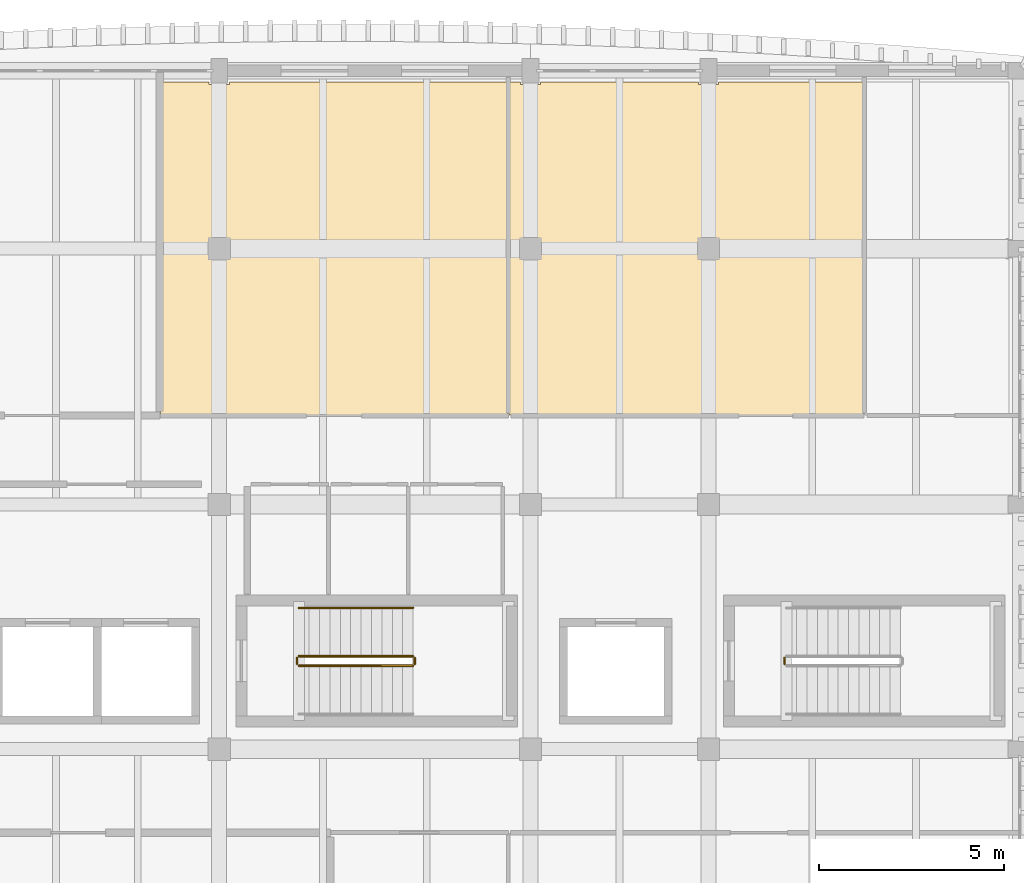
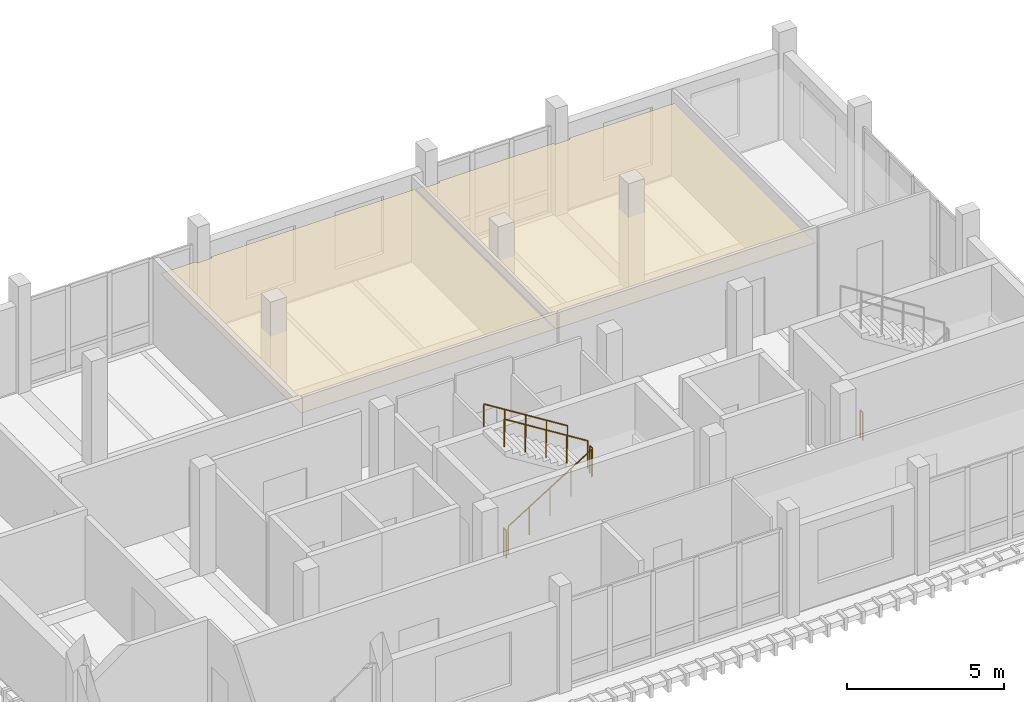
# One storey, part 11 of 16: 6 railings, 2 coverings.
"""IFC4 building model written with IfcOpenShell, lengths in metres."""

from ifc_helpers import new_model, si_unit, direction, frame, origin, origin_2d, place, context, subcontext, project, spatial, polyline, circle, outline, extrude, material, layer, layer_set, type_object, element, save


model = new_model("IFC4")

# Units and contexts
model_context = context("Model", 3, precision=1e-05, world=origin(), true_north=direction((0.0, 1.0)))
body_context = subcontext(model_context, "Body", "Model", "MODEL_VIEW")
ifc_project = project(units=[si_unit("LENGTHUNIT", "METRE"), si_unit("AREAUNIT", "SQUARE_METRE"), si_unit("VOLUMEUNIT", "CUBIC_METRE"), si_unit("PLANEANGLEUNIT", "RADIAN"), si_unit("MASSUNIT", "GRAM", prefix="KILO")], contexts=[model_context])

# Site, building, storey
site_placement = place(None, origin())
site = spatial("IfcSite", under=ifc_project, at=site_placement, CompositionType="ELEMENT")
building_placement = place(site_placement, origin())
building = spatial("IfcBuilding", under=site, at=building_placement, Name="Dornvale Research Institute", CompositionType="ELEMENT")
storey_placement = place(building_placement, frame((0.0, 0.0, 42.60009765625)))
storey = spatial("IfcBuildingStorey", under=building, at=storey_placement, Name="L09", CompositionType="ELEMENT", Elevation=42.60009765625)

# Coverings
ifc_material_1 = material(Name="Mineral-Fibre Acoustic Lay-In Ceiling Tile System")
ifc_layer_1 = layer(ifc_material_1, 0.02001953125)
ifc_layer_set_1 = layer_set([ifc_layer_1], Name="Mineral-Fibre Acoustic Lay-In Ceiling Tile System")
covering_type = type_object("IfcCoveringType", Name="Covering_Acoustic_Ceiling", PredefinedType="CEILING", material=ifc_layer_set_1)
covering_1_placement = place(storey_placement, frame((0.0, 0.0, 2.849853515625)))
element("IfcCovering", 1, at=covering_1_placement, inside=storey, type_object=covering_type, Name="L09 Institute Library Reading Room suspended ceiling", PredefinedType="CEILING", context=body_context, shape_type="SweptSolid", body=[
    extrude(outline(polyline([(27.580078125, 112.820068359375), (18.219970703125, 112.820068359375), (18.219970703125, 121.800048828125), (19.52490234375, 121.800048828125), (19.52490234375, 121.72509765625), (20.074951171875, 121.72509765625), (20.074951171875, 121.800048828125), (27.580078125, 121.800048828125), (27.580078125, 112.820068359375)])), origin(), (0.0, 0.0, 1.0), 0.02001953125),
])
covering_2_placement = place(storey_placement, frame((0.0, 0.0, 2.849853515625)))
element("IfcCovering", 2, at=covering_2_placement, inside=storey, type_object=covering_type, Name="L09 Special Collections Conservation Laboratory suspended ceiling", PredefinedType="CEILING", context=body_context, shape_type="SweptSolid", body=[
    extrude(outline(polyline([(37.179931640625, 112.820068359375), (27.6201171875, 112.820068359375), (27.6201171875, 121.800048828125), (27.925048828125, 121.800048828125), (27.925048828125, 121.72509765625), (28.47509765625, 121.72509765625), (28.47509765625, 121.800048828125), (32.72509765625, 121.800048828125), (32.72509765625, 121.72509765625), (33.27490234375, 121.72509765625), (33.27490234375, 121.800048828125), (37.179931640625, 121.800048828125), (37.179931640625, 112.820068359375)])), origin(), (0.0, 0.0, 1.0), 0.02001953125),
])

# Railings
ifc_material_2 = material(Name="Galvanized Painted Tubular Steel Stair Rail", Category="steel")
ifc_layer_2 = layer(ifc_material_2, 0.050048828125)
ifc_layer_set_2 = layer_set([ifc_layer_2], Name="Galvanized Painted Tubular Steel Stair Rail")
railing_type_1 = type_object("IfcRailingType", Name="Railing_Stair_Guard_1100", PredefinedType="GUARDRAIL", material=ifc_layer_set_2)
railing_1_placement = place(storey_placement, frame((21.949951171875, 106.050048828125, 0.1748046875)))
element("IfcRailing", 3, at=railing_1_placement, inside=storey, type_object=railing_type_1, Name="L09 ST-1 stair guard 1", PredefinedType="GUARDRAIL", context=body_context, shape_type="SweptSolid", body=[
    extrude(circle(Radius=0.02392578125, at=origin_2d()), frame((0.0, 0.0, 1.076171875), z_axis=(0.847998304005, 0.0, 0.529998940003), x_axis=(0.0, 1.0, 0.0)), (0.0, 0.0, 1.0), 3.632080078125),
    extrude(circle(Radius=0.02099609375, at=origin_2d()), origin(), (0.0, 0.0, 1.0), 1.052001953125),
    extrude(circle(Radius=0.02099609375, at=origin_2d()), frame((0.77001953125, 0.0, 0.481201171875)), (0.0, 0.0, 1.0), 1.052001953125),
    extrude(circle(Radius=0.02099609375, at=origin_2d()), frame((1.5400390625, 0.0, 0.96240234375)), (0.0, 0.0, 1.0), 1.052001953125),
    extrude(circle(Radius=0.02099609375, at=origin_2d()), frame((2.31005859375, 0.0, 1.44384765625)), (0.0, 0.0, 1.0), 1.052001953125),
    extrude(circle(Radius=0.02099609375, at=origin_2d()), frame((3.080078125, 0.0, 1.925048828125)), (0.0, 0.0, 1.0), 1.052001953125),
])
railing_2_placement = place(storey_placement, frame((25.080078125, 106.10009765625, 2.099853515625)))
element("IfcRailing", 4, at=railing_2_placement, inside=storey, type_object=railing_type_1, Name="L09 ST-1 stair guard 2", PredefinedType="GUARDRAIL", context=body_context, shape_type="SweptSolid", body=[
    extrude(circle(Radius=0.02392578125, at=origin_2d()), frame((0.0, 0.0, 1.076171875), z_axis=(0.0, 1.0, 0.0), x_axis=(-1.0, 0.0, 0.0)), (0.0, 0.0, 1.0), 0.159912109375),
    extrude(circle(Radius=0.02099609375, at=origin_2d()), origin(), (0.0, 0.0, 1.0), 1.052001953125),
    extrude(circle(Radius=0.02099609375, at=origin_2d()), frame((0.0, 0.159912109375, 0.0)), (0.0, 0.0, 1.0), 1.052001953125),
])
railing_3_placement = place(storey_placement, frame((25.030029296875, 106.31005859375, 2.27490234375)))
element("IfcRailing", 5, at=railing_3_placement, inside=storey, type_object=railing_type_1, Name="L09 ST-1 stair guard 3", PredefinedType="GUARDRAIL", context=body_context, shape_type="SweptSolid", body=[
    extrude(circle(Radius=0.02392578125, at=origin_2d()), frame((0.0, 0.0, 1.076171875), z_axis=(-0.847998304005, 0.0, 0.529998940003), x_axis=(0.0, -1.0, 0.0)), (0.0, 0.0, 1.0), 3.632080078125),
    extrude(circle(Radius=0.02099609375, at=origin_2d()), origin(), (0.0, 0.0, 1.0), 1.052001953125),
    extrude(circle(Radius=0.02099609375, at=origin_2d()), frame((-0.77001953125, 0.0, 0.481201171875)), (0.0, 0.0, 1.0), 1.052001953125),
    extrude(circle(Radius=0.02099609375, at=origin_2d()), frame((-1.5400390625, 0.0, 0.96240234375)), (0.0, 0.0, 1.0), 1.052001953125),
    extrude(circle(Radius=0.02099609375, at=origin_2d()), frame((-2.31005859375, 0.0, 1.44384765625)), (0.0, 0.0, 1.0), 1.052001953125),
    extrude(circle(Radius=0.02099609375, at=origin_2d()), frame((-3.080078125, 0.0, 1.925048828125)), (0.0, 0.0, 1.0), 1.052001953125),
])
for number, where, name in (
    (6, (21.89990234375, 106.10009765625, 0.0), "L09 ST-1 stair guard 4"),
    (7, (35.050048828125, 106.10009765625, 0.0), "L09 ST-2 stair guard 4"),
):
    element("IfcRailing", number, at=place(storey_placement, frame(where)), inside=storey, type_object=railing_type_1, Name=name, PredefinedType="GUARDRAIL", context=body_context, shape_type="SweptSolid", body=[
        extrude(circle(Radius=0.02392578125, at=origin_2d()), frame((0.0, 0.0, 1.076171875), z_axis=(0.0, 1.0, 0.0), x_axis=(-1.0, 0.0, 0.0)), (0.0, 0.0, 1.0), 0.159912109375),
        extrude(circle(Radius=0.02099609375, at=origin_2d()), origin(), (0.0, 0.0, 1.0), 1.052001953125),
        extrude(circle(Radius=0.02099609375, at=origin_2d()), frame((0.0, 0.159912109375, 0.0)), (0.0, 0.0, 1.0), 1.052001953125),
    ])
ifc_material_3 = material(Name="Galvanized Painted Tubular Steel Stair Rail", Category="steel")
ifc_layer_3 = layer(ifc_material_3, 0.044921875)
ifc_layer_set_3 = layer_set([ifc_layer_3], Name="Galvanized Painted Tubular Steel Stair Rail")
railing_type_2 = type_object("IfcRailingType", Name="Railing_Stair_Handrail_900", PredefinedType="HANDRAIL", material=ifc_layer_set_3)
railing_4_placement = place(storey_placement, frame((25.030029296875, 107.610107421875, 2.27490234375)))
element("IfcRailing", 8, at=railing_4_placement, inside=storey, type_object=railing_type_2, Name="L09 ST-1 stair handrail 2", PredefinedType="HANDRAIL", context=body_context, shape_type="SweptSolid", body=[
    extrude(circle(Radius=0.02392578125, at=origin_2d()), frame((0.0, 0.0, 0.8759765625), z_axis=(-0.847998304005, 0.0, 0.529998940003), x_axis=(0.0, -1.0, 0.0)), (0.0, 0.0, 1.0), 3.632080078125),
    extrude(circle(Radius=0.02099609375, at=origin_2d()), origin(), (0.0, 0.0, 1.0), 0.851806640625),
    extrude(circle(Radius=0.02099609375, at=origin_2d()), frame((-0.77001953125, 0.0, 0.481201171875)), (0.0, 0.0, 1.0), 0.851806640625),
    extrude(circle(Radius=0.02099609375, at=origin_2d()), frame((-1.5400390625, 0.0, 0.96240234375)), (0.0, 0.0, 1.0), 0.851806640625),
    extrude(circle(Radius=0.02099609375, at=origin_2d()), frame((-2.31005859375, 0.0, 1.44384765625)), (0.0, 0.0, 1.0), 0.851806640625),
    extrude(circle(Radius=0.02099609375, at=origin_2d()), frame((-3.080078125, 0.0, 1.925048828125)), (0.0, 0.0, 1.0), 0.851806640625),
])

save(model, "model.ifc")
